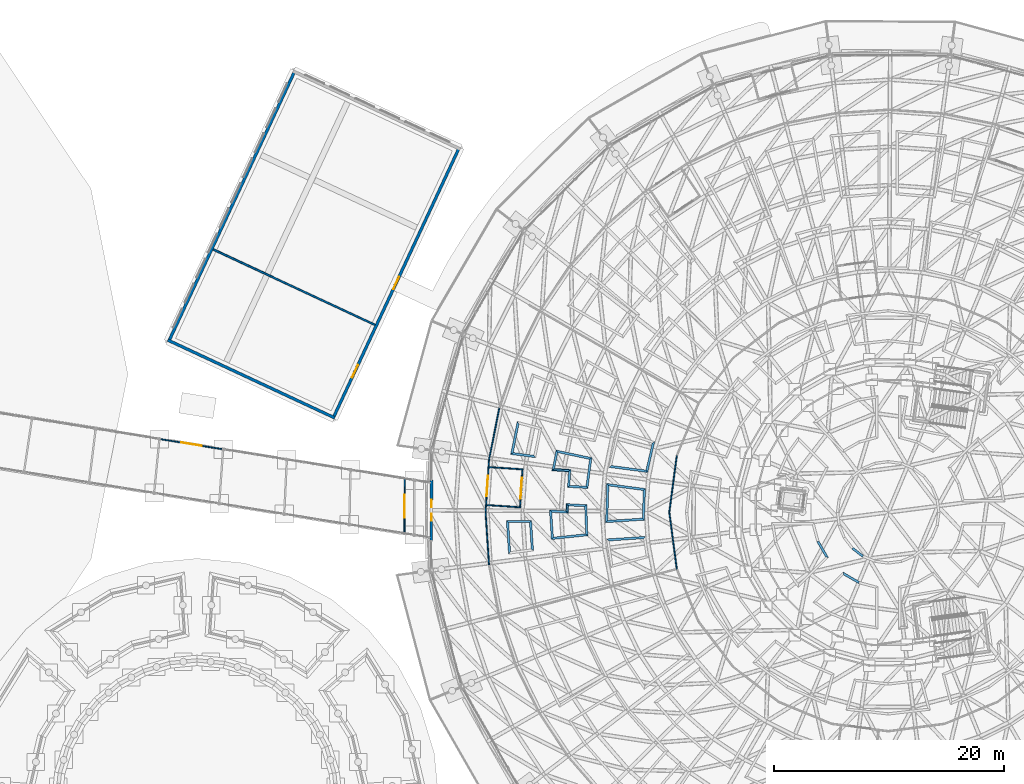
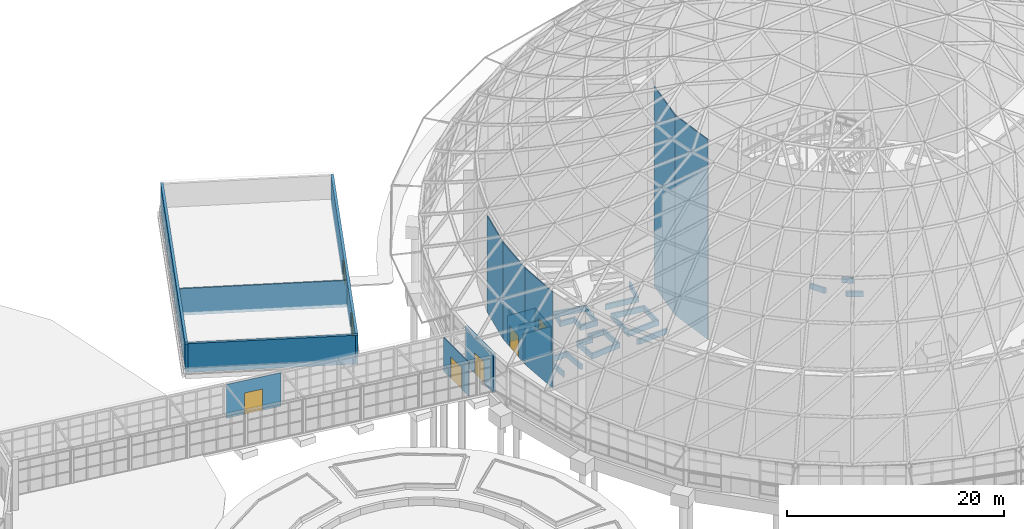
# One storey, part 169 of 226: 42 walls, 7 doors, 7 openings.
"""IFC4 building model written with IfcOpenShell, lengths in metres."""

from ifc_helpers import new_model, si_unit, direction, frame, frame_2d, origin, place, context, subcontext, project, spatial, polyline, rectangle, outline, extrude, material, layer, layer_set, type_object, element, fill, save


model = new_model("IFC4")

# Units and contexts
model_context = context("Model", 3, precision=1e-05, world=origin(), true_north=direction((0.0, 1.0)))
body_context = subcontext(model_context, "Body", "Model", "MODEL_VIEW")
ifc_project = project(units=[si_unit("LENGTHUNIT", "METRE"), si_unit("AREAUNIT", "SQUARE_METRE"), si_unit("VOLUMEUNIT", "CUBIC_METRE"), si_unit("PLANEANGLEUNIT", "RADIAN"), si_unit("MASSUNIT", "GRAM", prefix="KILO")], contexts=[model_context])

# Site, building, storey
site_placement = place(None, origin())
site = spatial("IfcSite", under=ifc_project, at=site_placement, CompositionType="ELEMENT")
building_placement = place(site_placement, origin())
building = spatial("IfcBuilding", under=site, at=building_placement, Name="Ceibo Conservatory and Research Tower", CompositionType="ELEMENT")
storey_placement = place(building_placement, origin())
storey = spatial("IfcBuildingStorey", under=building, at=storey_placement, Name="L00", CompositionType="ELEMENT", Elevation=0.0)

# Wall, opening, door
ifc_material_1 = material(Name="Aluminium and glass", Category="aluminium")
ifc_layer_1 = layer(ifc_material_1, 0.10009765625)
ifc_layer_set_1 = layer_set([ifc_layer_1], Name="Aluminium and glass")
wall_type_1 = type_object("IfcWallType", Name="Airlock screen wall 100", PredefinedType="PARTITIONING", material=ifc_layer_set_1)
wall_1_placement = place(storey_placement, frame((114.009033203125, 106.219970703125, 0.0), z_axis=(0.0, 0.0, 1.0), x_axis=(0.00435188832, 0.999990530489, 0.0)))
wall_1 = element("IfcWall", 1, at=wall_1_placement, inside=storey, type_object=wall_type_1, Name="Airlock screen A-RT-AS0", PredefinedType="PARTITIONING", context=body_context, shape_type="SweptSolid", body=[
    extrude(rectangle(XDim=4.65625, YDim=0.10009765625, at=frame_2d((2.328125, 0.0))), origin(), (0.0, 0.0, 1.0), 3.800048828125),
])
opening_1_placement = place(wall_1_placement, frame((1.328125, 0.0, 0.0)))
opening_1 = element("IfcOpeningElement", 2, at=opening_1_placement, cuts=wall_1, Name="Opening A-RT-AD0", PredefinedType="OPENING", context=body_context, shape_type="SweptSolid", body=[
    extrude(rectangle(XDim=2.0, YDim=2.39990234375, at=frame_2d((1.0, 1.199951171875))), frame((0.0, 0.06005859375, 0.0), z_axis=(0.0, -1.0, 0.0), x_axis=(1.0, 0.0, 0.0)), (0.0, 0.0, 1.0), 0.1201171875),
])
door_type_1 = type_object("IfcDoorType", Name="Gallery sliding door 2000x2400", OperationType="DOUBLE_DOOR_SLIDING", PredefinedType="DOOR", material=ifc_material_1)
door_1_placement = place(opening_1_placement, origin())
door_1 = element("IfcDoor", 3, at=door_1_placement, inside=storey, type_object=door_type_1, Name="Gallery airlock door A-RT-AD0", OperationType="DOUBLE_DOOR_SLIDING", OverallHeight=2.39990234375, OverallWidth=2.0, PredefinedType="DOOR", context=body_context, shape_type="SweptSolid", body=[
    extrude(rectangle(XDim=2.0, YDim=2.39990234375, at=frame_2d((1.0, 1.199951171875))), frame((0.0, 0.02490234375, 0.0), z_axis=(0.0, -1.0, 0.0), x_axis=(1.0, 0.0, 0.0)), (0.0, 0.0, 1.0), 0.050048828125),
])
fill(opening_1, door_1)

# Wall
wall_2_placement = place(storey_placement, frame((122.240966796875, 117.045654296875, 0.0), z_axis=(0.0, 0.0, 1.0), x_axis=(-0.195078787454, -0.9807875747, 0.0)))
element("IfcWall", 4, at=wall_2_placement, inside=storey, type_object=wall_type_1, Name="Glazed partition O", PredefinedType="PARTITIONING", context=body_context, shape_type="SweptSolid", body=[
    extrude(outline(polyline([(-0.003173828125, -0.050048828125), (4.574951171875, -0.050048828125), (4.568603515625, 0.050048828125), (0.003173828125, 0.050048828125), (-0.003173828125, -0.050048828125)])), origin(), (0.0, 0.0, 1.0), 10.841552734375),
])

# Wall, opening, door
wall_3_placement = place(storey_placement, frame((121.34912109375, 112.561767578125, 0.0), z_axis=(0.0, 0.0, 1.0), x_axis=(-0.065420166596, -0.997857806405, 0.0)))
wall_3 = element("IfcWall", 5, at=wall_3_placement, inside=storey, type_object=wall_type_1, Name="Glazed partition O", PredefinedType="PARTITIONING", context=body_context, shape_type="SweptSolid", body=[
    extrude(outline(polyline([(-0.003173828125, -0.050048828125), (4.57470703125, -0.050048828125), (4.568359375, 0.050048828125), (0.003173828125, 0.050048828125), (-0.003173828125, -0.050048828125)])), origin(), (0.0, 0.0, 1.0), 10.841552734375),
])
opening_2_placement = place(wall_3_placement, frame((1.3857421875, 0.0, 0.0)))
opening_2 = element("IfcOpeningElement", 6, at=opening_2_placement, cuts=wall_3, Name="Opening A-AL05", PredefinedType="OPENING", context=body_context, shape_type="SweptSolid", body=[
    extrude(rectangle(XDim=1.800048828125, YDim=2.39990234375, at=frame_2d((0.89990234375, 1.199951171875))), frame((0.0, 0.06005859375, 0.0), z_axis=(0.0, -1.0, 0.0), x_axis=(1.0, 0.0, 0.0)), (0.0, 0.0, 1.0), 0.1201171875),
])
door_type_2 = type_object("IfcDoorType", Name="Glass sliding door 1800x2400", OperationType="DOUBLE_DOOR_SLIDING", PredefinedType="DOOR", material=ifc_material_1)
door_2_placement = place(opening_2_placement, origin())
door_2 = element("IfcDoor", 7, at=door_2_placement, inside=storey, type_object=door_type_2, Name="Airlock door A-AL05", OperationType="DOUBLE_DOOR_SLIDING", OverallHeight=2.39990234375, OverallWidth=1.800048828125, PredefinedType="DOOR", context=body_context, shape_type="SweptSolid", body=[
    extrude(rectangle(XDim=1.800048828125, YDim=2.39990234375, at=frame_2d((0.89990234375, 1.199951171875))), frame((0.0, 0.02490234375, 0.0), z_axis=(0.0, -1.0, 0.0), x_axis=(1.0, 0.0, 0.0)), (0.0, 0.0, 1.0), 0.050048828125),
])
fill(opening_2, door_2)

# Walls
wall_4_placement = place(storey_placement, frame((121.050048828125, 108.0, 0.0), z_axis=(0.0, 0.0, 1.0), x_axis=(0.065420166596, -0.997857806405, 0.0)))
element("IfcWall", 8, at=wall_4_placement, inside=storey, type_object=wall_type_1, Name="Glazed partition O", PredefinedType="PARTITIONING", context=body_context, shape_type="SweptSolid", body=[
    extrude(outline(polyline([(-0.003173828125, -0.050048828125), (4.57470703125, -0.050048828125), (4.568359375, 0.050048828125), (0.003173828125, 0.050048828125), (-0.003173828125, -0.050048828125)])), origin(), (0.0, 0.0, 1.0), 10.84130859375),
])
for number, where, z_axis, x_axis, name in (
    (9, (137.6474609375, 112.91748046875, 0.0), (0.0, 0.0, 1.0), (-0.130538549191, -0.991443234469, 0.0), "Glazed partition I"),
    (10, (137.0, 108.0, 0.0), (0.0, 0.0, 1.0), (0.130538549191, -0.991443234469, 0.0), "Glazed partition I"),
):
    element("IfcWall", number, at=place(storey_placement, frame(where, z_axis=z_axis, x_axis=x_axis)), inside=storey, type_object=wall_type_1, Name=name, PredefinedType="PARTITIONING", context=body_context, shape_type="SweptSolid", body=[
        extrude(outline(polyline([(-0.006591796875, -0.050048828125), (4.966552734375, -0.050048828125), (4.953369140625, 0.050048828125), (0.006591796875, 0.050048828125), (-0.006591796875, -0.050048828125)])), origin(), (0.0, 0.0, 1.0), 22.484130859375),
    ])
wall_5_placement = place(storey_placement, frame((121.357421875, 111.924072265625, 0.0), z_axis=(0.0, 0.0, 1.0), x_axis=(0.997856215477, -0.065444428588, 0.0)))
element("IfcWall", 11, at=wall_5_placement, inside=storey, type_object=wall_type_1, Name="Glazed partition A", PredefinedType="PARTITIONING", context=body_context, shape_type="SweptSolid", body=[
    extrude(rectangle(XDim=2.85009765625, YDim=0.10009765625, at=frame_2d((1.425048828125, 0.0))), origin(), (0.0, 0.0, 1.0), 3.0),
])
wall_6_placement = place(storey_placement, frame((121.1416015625, 108.631103515625, 0.0), z_axis=(0.0, 0.0, 1.0), x_axis=(0.99785584855, -0.065450023033, 0.0)))
element("IfcWall", 12, at=wall_6_placement, inside=storey, type_object=wall_type_1, Name="Glazed partition A", PredefinedType="PARTITIONING", context=body_context, shape_type="SweptSolid", body=[
    extrude(rectangle(XDim=2.849853515625, YDim=0.10009765625, at=frame_2d((1.4248046875, 0.0))), origin(), (0.0, 0.0, 1.0), 3.0),
])

# Wall, opening, door
wall_7_placement = place(storey_placement, frame((124.25439453125, 111.7841796875, 0.0), z_axis=(0.0, 0.0, 1.0), x_axis=(-0.065418004517, -0.997857948149, 0.0)))
wall_7 = element("IfcWall", 13, at=wall_7_placement, inside=storey, type_object=wall_type_1, Name="Glazed partition A", PredefinedType="PARTITIONING", context=body_context, shape_type="SweptSolid", body=[
    extrude(rectangle(XDim=3.39990234375, YDim=0.10009765625, at=frame_2d((1.699951171875, 0.0))), origin(), (0.0, 0.0, 1.0), 3.0),
])
opening_3_placement = place(wall_7_placement, frame((0.800048828125, 0.0, 0.0)))
opening_3 = element("IfcOpeningElement", 14, at=opening_3_placement, cuts=wall_7, Name="Opening A-AL06", PredefinedType="OPENING", context=body_context, shape_type="SweptSolid", body=[
    extrude(rectangle(XDim=1.800048828125, YDim=2.39990234375, at=frame_2d((0.89990234375, 1.199951171875))), frame((0.0, 0.06005859375, 0.0), z_axis=(0.0, -1.0, 0.0), x_axis=(1.0, 0.0, 0.0)), (0.0, 0.0, 1.0), 0.1201171875),
])
door_3_placement = place(opening_3_placement, origin())
door_3 = element("IfcDoor", 15, at=door_3_placement, inside=storey, type_object=door_type_2, Name="Airlock door A-AL06", OperationType="DOUBLE_DOOR_SLIDING", OverallHeight=2.39990234375, OverallWidth=1.800048828125, PredefinedType="DOOR", context=body_context, shape_type="SweptSolid", body=[
    extrude(rectangle(XDim=1.800048828125, YDim=2.39990234375, at=frame_2d((0.89990234375, 1.199951171875))), frame((0.0, 0.02490234375, 0.0), z_axis=(0.0, -1.0, 0.0), x_axis=(1.0, 0.0, 0.0)), (0.0, 0.0, 1.0), 0.050048828125),
])
fill(opening_3, door_3)

# Walls
ifc_material_2 = material(Name="Masonry blockwork", Category="masonry")
ifc_layer_2 = layer(ifc_material_2, 0.14990234375)
ifc_layer_set_2 = layer_set([ifc_layer_2], Name="Masonry blockwork")
wall_type_2 = type_object("IfcWallType", Name="Annex partition wall 150", PredefinedType="PARTITIONING", material=ifc_layer_set_2)
wall_8_placement = place(storey_placement, frame((111.45263671875, 124.27099609375, 0.0), z_axis=(0.0, 0.0, 1.0), x_axis=(-0.906309854223, 0.422613828617, 0.0)))
element("IfcWall", 16, at=wall_8_placement, inside=storey, type_object=wall_type_2, Name="Annex partition", PredefinedType="PARTITIONING", context=body_context, shape_type="SweptSolid", body=[
    extrude(rectangle(XDim=15.5, YDim=0.14990234375, at=frame_2d((7.75, 0.0))), origin(), (0.0, 0.0, 1.0), 3.0),
])
ifc_layer_3 = layer(ifc_material_2, 0.199951171875)
ifc_layer_set_3 = layer_set([ifc_layer_3], Name="Masonry blockwork")
wall_type_3 = type_object("IfcWallType", Name="Dome planter wall 200", PredefinedType="SOLIDWALL", material=ifc_layer_set_3)
wall_9_placement = place(storey_placement, frame((152.889404296875, 104.889404296875, 0.0), z_axis=(0.0, 0.0, 1.0), x_axis=(0.793318876541, -0.608806340411, 0.0)))
element("IfcWall", 17, at=wall_9_placement, inside=storey, type_object=wall_type_3, Name="Planter wall A-PB001", PredefinedType="SOLIDWALL", context=body_context, shape_type="SweptSolid", body=[
    extrude(outline(polyline([(-0.01318359375, -0.10009765625), (1.16162109375, -0.10009765625), (1.13525390625, 0.10009765625), (0.01318359375, 0.10009765625), (-0.01318359375, -0.10009765625)])), origin(), (0.0, 0.0, 1.0), 0.60009765625),
])
wall_10_placement = place(storey_placement, frame((150.689208984375, 104.103271484375, 0.0), z_axis=(0.0, 0.0, 1.0), x_axis=(-0.498233166032, 0.867043085588, 0.0)))
element("IfcWall", 18, at=wall_10_placement, inside=storey, type_object=wall_type_3, Name="Planter wall A-PB006", PredefinedType="SOLIDWALL", context=body_context, shape_type="SweptSolid", body=[
    extrude(outline(polyline([(-0.07666015625, -0.10009765625), (1.56787109375, -0.10009765625), (1.59375, 0.10009765625), (0.07666015625, 0.10009765625), (-0.07666015625, -0.10009765625)])), origin(), (0.0, 0.0, 1.0), 0.60009765625),
])
wall_11_placement = place(storey_placement, frame((153.473876953125, 101.901611328125, 0.0), z_axis=(0.0, 0.0, 1.0), x_axis=(-0.867043085588, 0.498233166032, 0.0)))
element("IfcWall", 19, at=wall_11_placement, inside=storey, type_object=wall_type_3, Name="Planter wall A-PB007", PredefinedType="SOLIDWALL", context=body_context, shape_type="SweptSolid", body=[
    extrude(outline(polyline([(0.012939453125, -0.10009765625), (1.657470703125, -0.10009765625), (1.504150390625, 0.10009765625), (-0.012939453125, 0.10009765625), (0.012939453125, -0.10009765625)])), origin(), (0.0, 0.0, 1.0), 0.60009765625),
])
wall_12_placement = place(storey_placement, frame((131.869873046875, 111.983642578125, 0.0), z_axis=(0.0, 0.0, 1.0), x_axis=(0.991447800266, -0.130503867174, 0.0)))
element("IfcWall", 20, at=wall_12_placement, inside=storey, type_object=wall_type_3, Name="Planter wall A-PB063", PredefinedType="SOLIDWALL", context=body_context, shape_type="SweptSolid", body=[
    extrude(outline(polyline([(-0.110595703125, -0.10009765625), (3.28955078125, -0.10009765625), (3.1083984375, 0.10009765625), (0.110595703125, 0.10009765625), (-0.110595703125, -0.10009765625)])), origin(), (0.0, 0.0, 1.0), 0.60009765625),
])
wall_13_placement = place(storey_placement, frame((135.04150390625, 111.566162109375, 0.0), z_axis=(0.0, 0.0, 1.0), x_axis=(0.22682756688, 0.973934933609, 0.0)))
element("IfcWall", 21, at=wall_13_placement, inside=storey, type_object=wall_type_3, Name="Planter wall A-PB063", PredefinedType="SOLIDWALL", context=body_context, shape_type="SweptSolid", body=[
    extrude(outline(polyline([(-0.090576171875, -0.10009765625), (2.6630859375, -0.10009765625), (2.48193359375, 0.10009765625), (0.090576171875, 0.10009765625), (-0.090576171875, -0.10009765625)])), origin(), (0.0, 0.0, 1.0), 0.60009765625),
])
wall_14_placement = place(storey_placement, frame((134.83251953125, 109.979736328125, 0.0), z_axis=(0.0, 0.0, 1.0), x_axis=(-0.991436621482, 0.130588765154, 0.0)))
element("IfcWall", 22, at=wall_14_placement, inside=storey, type_object=wall_type_3, Name="Planter wall A-PB064", PredefinedType="SOLIDWALL", context=body_context, shape_type="SweptSolid", body=[
    extrude(outline(polyline([(-0.090576171875, -0.10009765625), (3.309326171875, -0.10009765625), (3.088134765625, 0.10009765625), (0.090576171875, 0.10009765625), (-0.090576171875, -0.10009765625)])), origin(), (0.0, 0.0, 1.0), 0.60009765625),
])
wall_15_placement = place(storey_placement, frame((131.6611328125, 110.3974609375, 0.0), z_axis=(0.0, 0.0, 1.0), x_axis=(-0.030755848788, -0.999526926984, 0.0)))
element("IfcWall", 23, at=wall_15_placement, inside=storey, type_object=wall_type_3, Name="Planter wall A-PB064", PredefinedType="SOLIDWALL", context=body_context, shape_type="SweptSolid", body=[
    extrude(outline(polyline([(-0.110595703125, -0.10009765625), (3.30908203125, -0.10009765625), (3.0888671875, 0.10009765625), (0.110595703125, 0.10009765625), (-0.110595703125, -0.10009765625)])), origin(), (0.0, 0.0, 1.0), 0.60009765625),
])
wall_16_placement = place(storey_placement, frame((131.562744140625, 107.199951171875, 0.0), z_axis=(0.0, 0.0, 1.0), x_axis=(0.997859649729, 0.065392044188, 0.0)))
element("IfcWall", 24, at=wall_16_placement, inside=storey, type_object=wall_type_3, Name="Planter wall A-PB064", PredefinedType="SOLIDWALL", context=body_context, shape_type="SweptSolid", body=[
    extrude(outline(polyline([(-0.110107421875, -0.10009765625), (3.28271484375, -0.10009765625), (3.1015625, 0.10009765625), (0.110107421875, 0.10009765625), (-0.110107421875, -0.10009765625)])), origin(), (0.0, 0.0, 1.0), 0.60009765625),
])
wall_17_placement = place(storey_placement, frame((134.748046875, 107.40869140625, 0.0), z_axis=(0.0, 0.0, 1.0), x_axis=(0.032837660404, 0.999460698607, 0.0)))
element("IfcWall", 25, at=wall_17_placement, inside=storey, type_object=wall_type_3, Name="Planter wall A-PB064", PredefinedType="SOLIDWALL", context=body_context, shape_type="SweptSolid", body=[
    extrude(outline(polyline([(-0.090576171875, -0.10009765625), (2.6630859375, -0.10009765625), (2.48193359375, 0.10009765625), (0.090576171875, 0.10009765625), (-0.090576171875, -0.10009765625)])), origin(), (0.0, 0.0, 1.0), 0.60009765625),
])
wall_18_placement = place(storey_placement, frame((134.85107421875, 105.81201171875, 0.0), z_axis=(0.0, 0.0, 1.0), x_axis=(-0.997859322646, -0.065397035173, 0.0)))
element("IfcWall", 26, at=wall_18_placement, inside=storey, type_object=wall_type_3, Name="Planter wall A-PB065", PredefinedType="SOLIDWALL", context=body_context, shape_type="SweptSolid", body=[
    extrude(outline(polyline([(-0.092041015625, -0.10009765625), (3.300537109375, -0.10009765625), (3.083251953125, 0.10009765625), (0.092041015625, 0.10009765625), (-0.092041015625, -0.10009765625)])), origin(), (0.0, 0.0, 1.0), 0.60009765625),
])
wall_19_placement = place(storey_placement, frame((126.927978515625, 111.709228515625, 0.0), z_axis=(0.0, 0.0, 1.0), x_axis=(0.997852003092, -0.065508624817, 0.0)))
element("IfcWall", 27, at=wall_19_placement, inside=storey, type_object=wall_type_3, Name="Planter wall A-PB068", PredefinedType="SOLIDWALL", context=body_context, shape_type="SweptSolid", body=[
    extrude(outline(polyline([(-0.114013671875, -0.10009765625), (1.32763671875, -0.10009765625), (1.52734375, 0.10009765625), (0.114013671875, 0.10009765625), (-0.114013671875, -0.10009765625)])), origin(), (0.0, 0.0, 1.0), 0.60009765625),
])
wall_20_placement = place(storey_placement, frame((128.352294921875, 111.61572265625, 0.0), z_axis=(0.0, 0.0, 1.0), x_axis=(-0.065509205235, -0.997851964988, 0.0)))
element("IfcWall", 28, at=wall_20_placement, inside=storey, type_object=wall_type_3, Name="Planter wall A-PB068", PredefinedType="SOLIDWALL", context=body_context, shape_type="SweptSolid", body=[
    extrude(outline(polyline([(0.099853515625, -0.10009765625), (1.46533203125, -0.10009765625), (1.2626953125, 0.10009765625), (-0.099853515625, 0.10009765625), (0.099853515625, -0.10009765625)])), origin(), (0.0, 0.0, 1.0), 0.60009765625),
])
wall_21_placement = place(storey_placement, frame((128.262939453125, 110.254638671875, 0.0), z_axis=(0.0, 0.0, 1.0), x_axis=(0.998632234834, -0.052284410201, 0.0)))
element("IfcWall", 29, at=wall_21_placement, inside=storey, type_object=wall_type_3, Name="Planter wall A-PB068", PredefinedType="SOLIDWALL", context=body_context, shape_type="SweptSolid", body=[
    extrude(outline(polyline([(-0.101318359375, -0.10009765625), (1.68017578125, -0.10009765625), (1.4951171875, 0.10009765625), (0.101318359375, 0.10009765625), (-0.101318359375, -0.10009765625)])), origin(), (0.0, 0.0, 1.0), 0.60009765625),
])
wall_22_placement = place(storey_placement, frame((129.848388671875, 110.171630859375, 0.0), z_axis=(0.0, 0.0, 1.0), x_axis=(0.130552217833, 0.991441434689, 0.0)))
element("IfcWall", 30, at=wall_22_placement, inside=storey, type_object=wall_type_3, Name="Planter wall A-PB068", PredefinedType="SOLIDWALL", context=body_context, shape_type="SweptSolid", body=[
    extrude(outline(polyline([(-0.092529296875, -0.10009765625), (2.61328125, -0.10009765625), (2.42822265625, 0.10009765625), (0.092529296875, 0.10009765625), (-0.092529296875, -0.10009765625)])), origin(), (0.0, 0.0, 1.0), 0.60009765625),
])
wall_23_placement = place(storey_placement, frame((130.177490234375, 112.6708984375, 0.0), z_axis=(0.0, 0.0, 1.0), x_axis=(-0.978155954869, 0.207872383819, 0.0)))
element("IfcWall", 31, at=wall_23_placement, inside=storey, type_object=wall_type_3, Name="Planter wall A-PB068", PredefinedType="SOLIDWALL", context=body_context, shape_type="SweptSolid", body=[
    extrude(outline(polyline([(-0.092529296875, -0.10009765625), (3.100830078125, -0.10009765625), (2.898193359375, 0.10009765625), (0.092529296875, 0.10009765625), (-0.092529296875, -0.10009765625)])), origin(), (0.0, 0.0, 1.0), 0.60009765625),
])
wall_24_placement = place(storey_placement, frame((127.243408203125, 113.29443359375, 0.0), z_axis=(0.0, 0.0, 1.0), x_axis=(-0.195157450712, -0.980771925287, 0.0)))
element("IfcWall", 32, at=wall_24_placement, inside=storey, type_object=wall_type_3, Name="Planter wall A-PB068", PredefinedType="SOLIDWALL", context=body_context, shape_type="SweptSolid", body=[
    extrude(outline(polyline([(-0.101318359375, -0.10009765625), (1.730224609375, -0.10009765625), (1.502197265625, 0.10009765625), (0.101318359375, 0.10009765625), (-0.101318359375, -0.10009765625)])), origin(), (0.0, 0.0, 1.0), 0.60009765625),
])
wall_25_placement = place(storey_placement, frame((126.692626953125, 108.116943359375, 0.0), z_axis=(0.0, 0.0, 1.0), x_axis=(0.065403122387, -0.997858923687, 0.0)))
element("IfcWall", 33, at=wall_25_placement, inside=storey, type_object=wall_type_3, Name="Planter wall A-PB069", PredefinedType="SOLIDWALL", context=body_context, shape_type="SweptSolid", body=[
    extrude(outline(polyline([(-0.114013671875, -0.10009765625), (2.485595703125, -0.10009765625), (2.277587890625, 0.10009765625), (0.114013671875, 0.10009765625), (-0.114013671875, -0.10009765625)])), origin(), (0.0, 0.0, 1.0), 0.60009765625),
])
wall_26_placement = place(storey_placement, frame((126.848388671875, 105.740478515625, 0.0), z_axis=(0.0, 0.0, 1.0), x_axis=(0.994519720858, 0.104549150285, 0.0)))
element("IfcWall", 34, at=wall_26_placement, inside=storey, type_object=wall_type_3, Name="Planter wall A-PB069", PredefinedType="SOLIDWALL", context=body_context, shape_type="SweptSolid", body=[
    extrude(outline(polyline([(-0.10400390625, -0.10009765625), (3.09130859375, -0.10009765625), (2.9052734375, 0.10009765625), (0.10400390625, 0.10009765625), (-0.10400390625, -0.10009765625)])), origin(), (0.0, 0.0, 1.0), 0.60009765625),
])
wall_27_placement = place(storey_placement, frame((129.830322265625, 106.053955078125, 0.0), z_axis=(0.0, 0.0, 1.0), x_axis=(-0.033008637062, 0.999455066463, 0.0)))
element("IfcWall", 35, at=wall_27_placement, inside=storey, type_object=wall_type_3, Name="Planter wall A-PB069", PredefinedType="SOLIDWALL", context=body_context, shape_type="SweptSolid", body=[
    extrude(outline(polyline([(-0.093017578125, -0.10009765625), (2.614013671875, -0.10009765625), (2.430419921875, 0.10009765625), (0.093017578125, 0.10009765625), (-0.093017578125, -0.10009765625)])), origin(), (0.0, 0.0, 1.0), 0.60009765625),
])
wall_28_placement = place(storey_placement, frame((129.7470703125, 108.57470703125, 0.0), z_axis=(0.0, 0.0, 1.0), x_axis=(-0.998630094698, 0.052325270789, 0.0)))
element("IfcWall", 36, at=wall_28_placement, inside=storey, type_object=wall_type_3, Name="Planter wall A-PB069", PredefinedType="SOLIDWALL", context=body_context, shape_type="SweptSolid", body=[
    extrude(outline(polyline([(-0.091796875, -0.10009765625), (1.689697265625, -0.10009765625), (1.492431640625, 0.10009765625), (0.091796875, 0.10009765625), (-0.091796875, -0.10009765625)])), origin(), (0.0, 0.0, 1.0), 0.60009765625),
])
wall_29_placement = place(storey_placement, frame((128.158203125, 108.657958984375, 0.0), z_axis=(0.0, 0.0, 1.0), x_axis=(-0.06527029455, -0.997867620804, 0.0)))
element("IfcWall", 37, at=wall_29_placement, inside=storey, type_object=wall_type_3, Name="Planter wall A-PB069", PredefinedType="SOLIDWALL", context=body_context, shape_type="SweptSolid", body=[
    extrude(outline(polyline([(-0.0986328125, -0.10009765625), (0.5361328125, -0.10009765625), (0.73583984375, 0.10009765625), (0.0986328125, 0.10009765625), (-0.0986328125, -0.10009765625)])), origin(), (0.0, 0.0, 1.0), 0.60009765625),
])
wall_30_placement = place(storey_placement, frame((128.11669921875, 108.0234375, 0.0), z_axis=(0.0, 0.0, 1.0), x_axis=(-0.997851268903, 0.065519807302, 0.0)))
element("IfcWall", 38, at=wall_30_placement, inside=storey, type_object=wall_type_3, Name="Planter wall A-PB069", PredefinedType="SOLIDWALL", context=body_context, shape_type="SweptSolid", body=[
    extrude(outline(polyline([(0.099853515625, -0.10009765625), (1.541259765625, -0.10009765625), (1.313232421875, 0.10009765625), (-0.099853515625, 0.10009765625), (0.099853515625, -0.10009765625)])), origin(), (0.0, 0.0, 1.0), 0.60009765625),
])
wall_31_placement = place(storey_placement, frame((123.33984375, 113.106689453125, 0.0), z_axis=(0.0, 0.0, 1.0), x_axis=(0.991445150216, -0.130523998224, 0.0)))
element("IfcWall", 39, at=wall_31_placement, inside=storey, type_object=wall_type_3, Name="Planter wall A-PB072", PredefinedType="SOLIDWALL", context=body_context, shape_type="SweptSolid", body=[
    extrude(outline(polyline([(-0.106689453125, -0.10009765625), (2.09326171875, -0.10009765625), (1.90576171875, 0.10009765625), (0.106689453125, 0.10009765625), (-0.106689453125, -0.10009765625)])), origin(), (0.0, 0.0, 1.0), 0.60009765625),
])
wall_32_placement = place(storey_placement, frame((123.87158203125, 115.780517578125, 0.0), z_axis=(0.0, 0.0, 1.0), x_axis=(-0.195048261557, -0.980793645811, 0.0)))
element("IfcWall", 40, at=wall_32_placement, inside=storey, type_object=wall_type_3, Name="Planter wall A-PB072", PredefinedType="SOLIDWALL", context=body_context, shape_type="SweptSolid", body=[
    extrude(outline(polyline([(-0.106689453125, -0.10009765625), (2.832763671875, -0.10009765625), (2.619384765625, 0.10009765625), (0.106689453125, 0.10009765625), (-0.106689453125, -0.10009765625)])), origin(), (0.0, 0.0, 1.0), 0.60009765625),
])
wall_33_placement = place(storey_placement, frame((125.113525390625, 104.74072265625, 0.0), z_axis=(0.0, 0.0, 1.0), x_axis=(-0.06548013601, 0.997853872963, 0.0)))
element("IfcWall", 41, at=wall_33_placement, inside=storey, type_object=wall_type_3, Name="Planter wall A-PB073", PredefinedType="SOLIDWALL", context=body_context, shape_type="SweptSolid", body=[
    extrude(outline(polyline([(-0.09375, -0.10009765625), (2.558349609375, -0.10009765625), (2.370849609375, 0.10009765625), (0.09375, 0.10009765625), (-0.09375, -0.10009765625)])), origin(), (0.0, 0.0, 1.0), 0.60009765625),
])
wall_34_placement = place(storey_placement, frame((124.9521484375, 107.199951171875, 0.0), z_axis=(0.0, 0.0, 1.0), x_axis=(-1.0, 0.0, 0.0)))
element("IfcWall", 42, at=wall_34_placement, inside=storey, type_object=wall_type_3, Name="Planter wall A-PB073", PredefinedType="SOLIDWALL", context=body_context, shape_type="SweptSolid", body=[
    extrude(outline(polyline([(-0.09375, -0.10009765625), (2.106201171875, -0.10009765625), (1.892822265625, 0.10009765625), (0.09375, 0.10009765625), (-0.09375, -0.10009765625)])), origin(), (0.0, 0.0, 1.0), 0.60009765625),
])
wall_35_placement = place(storey_placement, frame((122.95263671875, 107.199951171875, 0.0), z_axis=(0.0, 0.0, 1.0), x_axis=(0.065371848719, -0.997860972979, 0.0)))
element("IfcWall", 43, at=wall_35_placement, inside=storey, type_object=wall_type_3, Name="Planter wall A-PB073", PredefinedType="SOLIDWALL", context=body_context, shape_type="SweptSolid", body=[
    extrude(outline(polyline([(-0.106689453125, -0.10009765625), (2.8330078125, -0.10009765625), (2.61962890625, 0.10009765625), (0.106689453125, 0.10009765625), (-0.106689453125, -0.10009765625)])), origin(), (0.0, 0.0, 1.0), 0.60009765625),
])

# Wall, opening, door
ifc_material_3 = material(Name="Concrete C35/45", Category="concrete")
ifc_layer_4 = layer(ifc_material_3, 0.25)
ifc_layer_set_4 = layer_set([ifc_layer_4], Name="Concrete C35/45")
wall_type_4 = type_object("IfcWallType", Name="Drum link wall 250", PredefinedType="SOLIDWALL", material=ifc_layer_set_4)
wall_36_placement = place(storey_placement, frame((116.35400390625, 110.8017578125, 0.0), z_axis=(0.0, 0.0, 1.0), x_axis=(-0.004364945647, -0.999990473579, 0.0)))
wall_36 = element("IfcWall", 44, at=wall_36_placement, inside=storey, type_object=wall_type_4, Name="Drum door stub wall A-W12", PredefinedType="SOLIDWALL", context=body_context, shape_type="SweptSolid", body=[
    extrude(rectangle(XDim=5.257568359375, YDim=0.25, at=frame_2d((2.62890625, 0.0))), origin(), (0.0, 0.0, 1.0), 4.338134765625),
])
opening_4_placement = place(wall_36_placement, frame((1.728759765625, 0.0, 0.0)))
opening_4 = element("IfcOpeningElement", 45, at=opening_4_placement, cuts=wall_36, Name="Opening A-D03", PredefinedType="OPENING", context=body_context, shape_type="SweptSolid", body=[
    extrude(rectangle(XDim=1.800048828125, YDim=2.39990234375, at=frame_2d((0.89990234375, 1.199951171875))), frame((0.0, 0.135009765625, 0.0), z_axis=(0.0, -1.0, 0.0), x_axis=(1.0, 0.0, 0.0)), (0.0, 0.0, 1.0), 0.27001953125),
])
door_type_3 = type_object("IfcDoorType", Name="Drum double door 1800x2400", OperationType="DOUBLE_DOOR_SINGLE_SWING", PredefinedType="DOOR", material=ifc_material_1)
door_4_placement = place(opening_4_placement, origin())
door_4 = element("IfcDoor", 46, at=door_4_placement, inside=storey, type_object=door_type_3, Name="Drum door A-D03", OperationType="DOUBLE_DOOR_SINGLE_SWING", OverallHeight=2.39990234375, OverallWidth=1.800048828125, PredefinedType="DOOR", context=body_context, shape_type="SweptSolid", body=[
    extrude(rectangle(XDim=1.800048828125, YDim=2.39990234375, at=frame_2d((0.89990234375, 1.199951171875))), frame((0.0, 0.02490234375, 0.0), z_axis=(0.0, -1.0, 0.0), x_axis=(1.0, 0.0, 0.0)), (0.0, 0.0, 1.0), 0.050048828125),
])
fill(opening_4, door_4)

ifc_layer_5 = layer(ifc_material_1, 0.10009765625)
ifc_layer_set_5 = layer_set([ifc_layer_5], Name="Aluminium and glass")
wall_type_5 = type_object("IfcWallType", Name="Gallery exit infill wall 100", PredefinedType="PARTITIONING", material=ifc_layer_set_5)
wall_37_placement = place(storey_placement, frame((98.169677734375, 113.487548828125, 0.0), z_axis=(0.0, 0.0, 1.0), x_axis=(-0.987215404619, 0.159391796785, 0.0)))
wall_37 = element("IfcWall", 47, at=wall_37_placement, inside=storey, type_object=wall_type_5, Name="Gallery exit wall A-RT", PredefinedType="PARTITIONING", context=body_context, shape_type="SweptSolid", body=[
    extrude(rectangle(XDim=5.39453125, YDim=0.10009765625, at=frame_2d((2.697265625, 0.0))), origin(), (0.0, 0.0, 1.0), 3.800048828125),
])
opening_5_placement = place(wall_37_placement, frame((1.79736328125, 0.0, 0.0)))
opening_5 = element("IfcOpeningElement", 48, at=opening_5_placement, cuts=wall_37, Name="Opening A-RT-X1", PredefinedType="OPENING", context=body_context, shape_type="SweptSolid", body=[
    extrude(rectangle(XDim=1.800048828125, YDim=2.39990234375, at=frame_2d((0.89990234375, 1.199951171875))), frame((0.0, 0.06005859375, 0.0), z_axis=(0.0, -1.0, 0.0), x_axis=(1.0, 0.0, 0.0)), (0.0, 0.0, 1.0), 0.1201171875),
])
door_type_4 = type_object("IfcDoorType", Name="Gallery exit door 1800x2400", OperationType="DOUBLE_DOOR_SINGLE_SWING", PredefinedType="DOOR", material=ifc_material_1)
door_5_placement = place(opening_5_placement, frame((1.800048828125, 0.0, 0.0), z_axis=(0.0, 0.0, 1.0), x_axis=(-1.0, 0.0, 0.0)))
door_5 = element("IfcDoor", 49, at=door_5_placement, inside=storey, type_object=door_type_4, Name="Gallery exit door A-RT-X1", OperationType="DOUBLE_DOOR_SINGLE_SWING", OverallHeight=2.39990234375, OverallWidth=1.800048828125, PredefinedType="DOOR", context=body_context, shape_type="SweptSolid", body=[
    extrude(rectangle(XDim=1.800048828125, YDim=2.39990234375, at=frame_2d((0.89990234375, 1.199951171875))), frame((0.0, 0.02490234375, 0.0), z_axis=(0.0, -1.0, 0.0), x_axis=(1.0, 0.0, 0.0)), (0.0, 0.0, 1.0), 0.050048828125),
])
fill(opening_5, door_5)

# Walls
ifc_layer_6 = layer(ifc_material_3, 0.25)
ifc_layer_set_6 = layer_set([ifc_layer_6], Name="Concrete C35/45")
wall_type_6 = type_object("IfcWallType", Name="RC annex wall 250", PredefinedType="SOLIDWALL", material=ifc_layer_set_6)
wall_38_placement = place(storey_placement, frame((104.510009765625, 146.35400390625, -0.25), z_axis=(0.0, 0.0, 1.0), x_axis=(-0.42261762504, -0.906308083935, 0.0)))
element("IfcWall", 50, at=wall_38_placement, inside=storey, type_object=wall_type_6, Name="Plant annex wall A-AW01", PredefinedType="SOLIDWALL", context=body_context, shape_type="SweptSolid", body=[
    extrude(rectangle(XDim=26.0, YDim=0.25, at=frame_2d((13.0, 0.0))), origin(), (0.0, 0.0, 1.0), 3.25),
])
wall_39_placement = place(storey_placement, frame((93.46142578125, 122.956298828125, -0.25), z_axis=(0.0, 0.0, 1.0), x_axis=(0.906306674627, -0.422620647302, 0.0)))
element("IfcWall", 51, at=wall_39_placement, inside=storey, type_object=wall_type_6, Name="Plant annex wall A-AW02", PredefinedType="SOLIDWALL", context=body_context, shape_type="SweptSolid", body=[
    extrude(rectangle(XDim=16.0, YDim=0.25, at=frame_2d((8.0, 0.0))), origin(), (0.0, 0.0, 1.0), 3.25),
])

# Wall, openings, doors
wall_40_placement = place(storey_placement, frame((107.796142578125, 116.1337890625, -0.25), z_axis=(0.0, 0.0, 1.0), x_axis=(0.422614028477, 0.906309761028, 0.0)))
wall_40 = element("IfcWall", 52, at=wall_40_placement, inside=storey, type_object=wall_type_6, Name="Plant annex wall A-AW03", PredefinedType="SOLIDWALL", context=body_context, shape_type="SweptSolid", body=[
    extrude(rectangle(XDim=26.000244140625, YDim=0.25, at=frame_2d((13.0, 0.0))), origin(), (0.0, 0.0, 1.0), 3.25),
])
opening_6_placement = place(wall_40_placement, frame((12.39990234375, 0.0, 0.25)))
opening_6 = element("IfcOpeningElement", 53, at=opening_6_placement, cuts=wall_40, Name="Opening A-AD01", PredefinedType="OPENING", context=body_context, shape_type="SweptSolid", body=[
    extrude(rectangle(XDim=1.199951171875, YDim=2.10009765625, at=frame_2d((0.60009765625, 1.050048828125))), frame((0.0, 0.135009765625, 0.0), z_axis=(0.0, -1.0, 0.0), x_axis=(1.0, 0.0, 0.0)), (0.0, 0.0, 1.0), 0.27001953125),
])
opening_7_placement = place(wall_40_placement, frame((3.947509765625, 0.0, 0.25)))
opening_7 = element("IfcOpeningElement", 54, at=opening_7_placement, cuts=wall_40, Name="Opening A-AD01", PredefinedType="OPENING", context=body_context, shape_type="SweptSolid", body=[
    extrude(rectangle(XDim=1.199951171875, YDim=2.10009765625, at=frame_2d((0.60009765625, 1.050048828125))), frame((0.0, 0.135009765625, 0.0), z_axis=(0.0, -1.0, 0.0), x_axis=(1.0, 0.0, 0.0)), (0.0, 0.0, 1.0), 0.27001953125),
])
ifc_material_4 = material(Name="Galvanised sheet steel DX51D", Category="steel")
door_type_5 = type_object("IfcDoorType", Name="Annex door 1200x2100", OperationType="DOUBLE_DOOR_SINGLE_SWING", PredefinedType="DOOR", material=ifc_material_4)
door_6_placement = place(opening_6_placement, frame((1.199951171875, 0.0, 0.0), z_axis=(0.0, 0.0, 1.0), x_axis=(-1.0, 0.0, 0.0)))
door_6 = element("IfcDoor", 55, at=door_6_placement, inside=storey, type_object=door_type_5, Name="Plant annex door A-AD01", OperationType="DOUBLE_DOOR_SINGLE_SWING", OverallHeight=2.10009765625, OverallWidth=1.199951171875, PredefinedType="DOOR", context=body_context, shape_type="SweptSolid", body=[
    extrude(rectangle(XDim=1.199951171875, YDim=2.10009765625, at=frame_2d((0.60009765625, 1.050048828125))), frame((0.0, 0.02490234375, 0.0), z_axis=(0.0, -1.0, 0.0), x_axis=(1.0, 0.0, 0.0)), (0.0, 0.0, 1.0), 0.050048828125),
])
fill(opening_6, door_6)
door_7_placement = place(opening_7_placement, frame((1.199951171875, 0.0, 0.0), z_axis=(0.0, 0.0, 1.0), x_axis=(-1.0, 0.0, 0.0)))
door_7 = element("IfcDoor", 56, at=door_7_placement, inside=storey, type_object=door_type_5, Name="Gardeners workshop door A-AD02", OperationType="DOUBLE_DOOR_SINGLE_SWING", OverallHeight=2.10009765625, OverallWidth=1.199951171875, PredefinedType="DOOR", context=body_context, shape_type="SweptSolid", body=[
    extrude(rectangle(XDim=1.199951171875, YDim=2.10009765625, at=frame_2d((0.60009765625, 1.050048828125))), frame((0.0, 0.02490234375, 0.0), z_axis=(0.0, -1.0, 0.0), x_axis=(1.0, 0.0, 0.0)), (0.0, 0.0, 1.0), 0.050048828125),
])
fill(opening_7, door_7)

save(model, "model.ifc")
